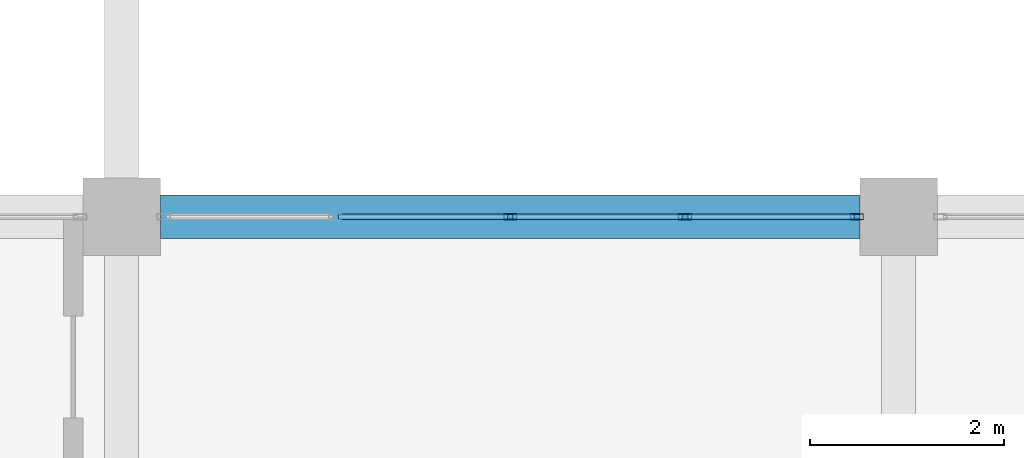
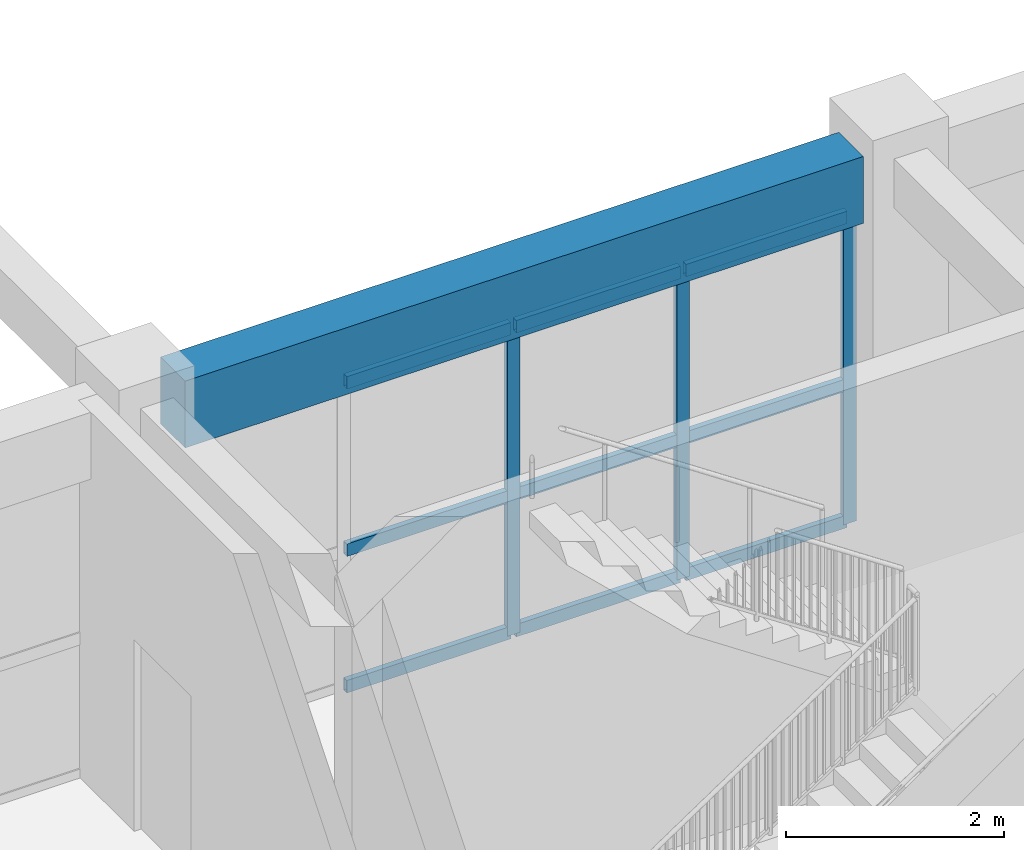
# One storey, part 21 of 79: 12 members, 1 beam, 1 element without a shape of its own.
"""IFC4 building model written with IfcOpenShell, lengths in metres."""

from ifc_helpers import new_model, si_unit, direction, frame, origin, origin_2d, place, context, subcontext, project, spatial, rectangle, hollow_rectangle, extrude, material, material_profile, profile_set, type_object, element, aggregate, save


model = new_model("IFC4")

# Units and contexts
model_context = context("Model", 3, precision=1e-05, world=origin(), true_north=direction((0.0, 1.0)))
body_context = subcontext(model_context, "Body", "Model", "MODEL_VIEW")
ifc_project = project(units=[si_unit("LENGTHUNIT", "METRE"), si_unit("AREAUNIT", "SQUARE_METRE"), si_unit("VOLUMEUNIT", "CUBIC_METRE"), si_unit("PLANEANGLEUNIT", "RADIAN"), si_unit("MASSUNIT", "GRAM", prefix="KILO")], contexts=[model_context])

# Site, building, storey
site_placement = place(None, origin())
site = spatial("IfcSite", under=ifc_project, at=site_placement, CompositionType="ELEMENT")
building_placement = place(site_placement, origin())
building = spatial("IfcBuilding", under=site, at=building_placement, Name="Zantavel Square City Hall", CompositionType="ELEMENT")
storey_placement = place(building_placement, frame((0.0, 0.0, 10.199951171875)))
storey = spatial("IfcBuildingStorey", under=building, at=storey_placement, Name="L03", CompositionType="ELEMENT", Elevation=10.199951171875)

# Curtain wall, members
ifc_material_1 = material(Name="Anodised aluminium 6063-T6", Category="aluminium")
curtain_wall_type = type_object("IfcCurtainWallType", Name="Curtain Wall TRV1 7200x3470", PredefinedType="USERDEFINED", material=ifc_material_1)
curtain_wall_placement = place(storey_placement, origin())
curtain_wall = element("IfcCurtainWall", 1, at=curtain_wall_placement, inside=storey, type_object=curtain_wall_type, Name="L03 Glazed Curtain Wall CW-L03-084", ObjectType="GLAZED CURTAIN WALL", PredefinedType="USERDEFINED")
ifc_material_profile_1 = material_profile(ifc_material_1, hollow_rectangle(XDim=0.06005859375, YDim=0.135009765625, WallThickness=0.00390625, at=origin_2d()), Name="ALU 60x135x4")
ifc_profile_set_1 = profile_set([ifc_material_profile_1], Name="Anodised aluminium 6063-T6")
member_type_1 = type_object("IfcMemberType", Name="CW Mullion ALU 60x135x4", PredefinedType="MULLION", material=ifc_profile_set_1)
member_1_placement = place(storey_placement, frame((68.0, 68.39990234375, 0.0), z_axis=(0.0, 0.0, 1.0), x_axis=(0.0, 1.0, 0.0)))
member_1 = element("IfcMember", 2, at=member_1_placement, type_object=member_type_1, Name="CW-084 mullion 3", PredefinedType="MULLION", context=body_context, shape_type="SweptSolid", body=[
    extrude(hollow_rectangle(XDim=0.06005859375, YDim=0.135009765625, WallThickness=0.00390625, at=origin_2d()), origin(), (0.0, 0.0, 1.0), 3.469970703125),
])
member_2_placement = place(storey_placement, frame((69.800048828125, 68.39990234375, 0.0), z_axis=(0.0, 0.0, 1.0), x_axis=(0.0, 1.0, 0.0)))
member_2 = element("IfcMember", 3, at=member_2_placement, type_object=member_type_1, Name="CW-084 mullion 4", PredefinedType="MULLION", context=body_context, shape_type="SweptSolid", body=[
    extrude(hollow_rectangle(XDim=0.06005859375, YDim=0.135009765625, WallThickness=0.00390625, at=origin_2d()), origin(), (0.0, 0.0, 1.0), 3.469970703125),
])
member_3_placement = place(storey_placement, frame((71.570068359375, 68.39990234375, 0.0), z_axis=(0.0, 0.0, 1.0), x_axis=(0.0, 1.0, 0.0)))
member_3 = element("IfcMember", 4, at=member_3_placement, type_object=member_type_1, Name="CW-084 mullion 5", PredefinedType="MULLION", context=body_context, shape_type="SweptSolid", body=[
    extrude(hollow_rectangle(XDim=0.06005859375, YDim=0.135009765625, WallThickness=0.00390625, at=origin_2d()), origin(), (0.0, 0.0, 1.0), 3.469970703125),
])
ifc_material_profile_2 = material_profile(ifc_material_1, hollow_rectangle(XDim=0.06005859375, YDim=0.139892578125, WallThickness=0.00390625, at=origin_2d()), Name="ALU 60x140x4")
ifc_profile_set_2 = profile_set([ifc_material_profile_2], Name="Anodised aluminium 6063-T6")
member_type_2 = type_object("IfcMemberType", Name="CW Transom ALU 60x140x4", PredefinedType="USERDEFINED", material=ifc_profile_set_2)
member_4_placement = place(storey_placement, frame((66.22998046875, 68.39990234375, 0.030029296875), z_axis=(1.0, 0.0, 0.0), x_axis=(0.0, 1.0, 0.0)))
member_4 = element("IfcMember", 5, at=member_4_placement, type_object=member_type_2, Name="CW-084 transom 2.1", ObjectType="TRANSOM", PredefinedType="USERDEFINED", context=body_context, shape_type="SweptSolid", body=[
    extrude(hollow_rectangle(XDim=0.06005859375, YDim=0.139892578125, WallThickness=0.00390625, at=origin_2d()), origin(), (0.0, 0.0, 1.0), 1.739990234375),
])
member_5_placement = place(storey_placement, frame((66.22998046875, 68.39990234375, 1.56201171875), z_axis=(1.0, 0.0, 0.0), x_axis=(0.0, 1.0, 0.0)))
member_5 = element("IfcMember", 6, at=member_5_placement, type_object=member_type_2, Name="CW-084 transom 2.2", ObjectType="TRANSOM", PredefinedType="USERDEFINED", context=body_context, shape_type="SweptSolid", body=[
    extrude(hollow_rectangle(XDim=0.06005859375, YDim=0.139892578125, WallThickness=0.00390625, at=origin_2d()), origin(), (0.0, 0.0, 1.0), 1.739990234375),
])
member_6_placement = place(storey_placement, frame((66.22998046875, 68.39990234375, 3.43994140625), z_axis=(1.0, 0.0, 0.0), x_axis=(0.0, 1.0, 0.0)))
member_6 = element("IfcMember", 7, at=member_6_placement, type_object=member_type_2, Name="CW-084 transom 2.3", ObjectType="TRANSOM", PredefinedType="USERDEFINED", context=body_context, shape_type="SweptSolid", body=[
    extrude(hollow_rectangle(XDim=0.06005859375, YDim=0.139892578125, WallThickness=0.00390625, at=origin_2d()), origin(), (0.0, 0.0, 1.0), 1.739990234375),
])
member_7_placement = place(storey_placement, frame((68.030029296875, 68.39990234375, 0.030029296875), z_axis=(1.0, 0.0, 0.0), x_axis=(0.0, 1.0, 0.0)))
member_7 = element("IfcMember", 8, at=member_7_placement, type_object=member_type_2, Name="CW-084 transom 3.1", ObjectType="TRANSOM", PredefinedType="USERDEFINED", context=body_context, shape_type="SweptSolid", body=[
    extrude(hollow_rectangle(XDim=0.06005859375, YDim=0.139892578125, WallThickness=0.00390625, at=origin_2d()), origin(), (0.0, 0.0, 1.0), 1.739990234375),
])
member_8_placement = place(storey_placement, frame((68.030029296875, 68.39990234375, 1.56201171875), z_axis=(1.0, 0.0, 0.0), x_axis=(0.0, 1.0, 0.0)))
member_8 = element("IfcMember", 9, at=member_8_placement, type_object=member_type_2, Name="CW-084 transom 3.2", ObjectType="TRANSOM", PredefinedType="USERDEFINED", context=body_context, shape_type="SweptSolid", body=[
    extrude(hollow_rectangle(XDim=0.06005859375, YDim=0.139892578125, WallThickness=0.00390625, at=origin_2d()), origin(), (0.0, 0.0, 1.0), 1.739990234375),
])
member_9_placement = place(storey_placement, frame((68.030029296875, 68.39990234375, 3.43994140625), z_axis=(1.0, 0.0, 0.0), x_axis=(0.0, 1.0, 0.0)))
member_9 = element("IfcMember", 10, at=member_9_placement, type_object=member_type_2, Name="CW-084 transom 3.3", ObjectType="TRANSOM", PredefinedType="USERDEFINED", context=body_context, shape_type="SweptSolid", body=[
    extrude(hollow_rectangle(XDim=0.06005859375, YDim=0.139892578125, WallThickness=0.00390625, at=origin_2d()), origin(), (0.0, 0.0, 1.0), 1.739990234375),
])
member_10_placement = place(storey_placement, frame((69.830078125, 68.39990234375, 0.030029296875), z_axis=(1.0, 0.0, 0.0), x_axis=(0.0, 1.0, 0.0)))
member_10 = element("IfcMember", 11, at=member_10_placement, type_object=member_type_2, Name="CW-084 transom 4.1", ObjectType="TRANSOM", PredefinedType="USERDEFINED", context=body_context, shape_type="SweptSolid", body=[
    extrude(hollow_rectangle(XDim=0.06005859375, YDim=0.139892578125, WallThickness=0.00390625, at=origin_2d()), origin(), (0.0, 0.0, 1.0), 1.7099609375),
])
member_11_placement = place(storey_placement, frame((69.830078125, 68.39990234375, 1.56201171875), z_axis=(1.0, 0.0, 0.0), x_axis=(0.0, 1.0, 0.0)))
member_11 = element("IfcMember", 12, at=member_11_placement, type_object=member_type_2, Name="CW-084 transom 4.2", ObjectType="TRANSOM", PredefinedType="USERDEFINED", context=body_context, shape_type="SweptSolid", body=[
    extrude(hollow_rectangle(XDim=0.06005859375, YDim=0.139892578125, WallThickness=0.00390625, at=origin_2d()), origin(), (0.0, 0.0, 1.0), 1.7099609375),
])
member_12_placement = place(storey_placement, frame((69.830078125, 68.39990234375, 3.43994140625), z_axis=(1.0, 0.0, 0.0), x_axis=(0.0, 1.0, 0.0)))
member_12 = element("IfcMember", 13, at=member_12_placement, type_object=member_type_2, Name="CW-084 transom 4.3", ObjectType="TRANSOM", PredefinedType="USERDEFINED", context=body_context, shape_type="SweptSolid", body=[
    extrude(hollow_rectangle(XDim=0.06005859375, YDim=0.139892578125, WallThickness=0.00390625, at=origin_2d()), origin(), (0.0, 0.0, 1.0), 1.7099609375),
])
aggregate(curtain_wall, [member_1, member_2, member_3, member_4, member_5, member_6, member_7, member_8, member_9, member_10, member_11, member_12])

# Beam
ifc_material_2 = material(Name="Concrete C35/45", Category="concrete")
ifc_material_profile_3 = material_profile(ifc_material_2, rectangle(XDim=0.449951171875, YDim=0.75, at=origin_2d()), Name="RC 450x750")
ifc_profile_set_3 = profile_set([ifc_material_profile_3], Name="Concrete C35/45")
beam_type = type_object("IfcBeamType", Name="Primary Girder RC 450x750 C35/45", PredefinedType="BEAM", material=ifc_profile_set_3)
beam_placement = place(storey_placement, frame((64.39990234375, 68.39990234375, 3.844970703125), z_axis=(1.0, 0.0, 0.0), x_axis=(0.0, 1.0, 0.0)))
element("IfcBeam", 14, at=beam_placement, inside=storey, type_object=beam_type, Name="L03 Girder BMX-L03-0640-0684", PredefinedType="BEAM", context=body_context, shape_type="SweptSolid", body=[
    extrude(rectangle(XDim=0.449951171875, YDim=0.75, at=origin_2d()), origin(), (0.0, 0.0, 1.0), 7.2001953125),
])

save(model, "model.ifc")
